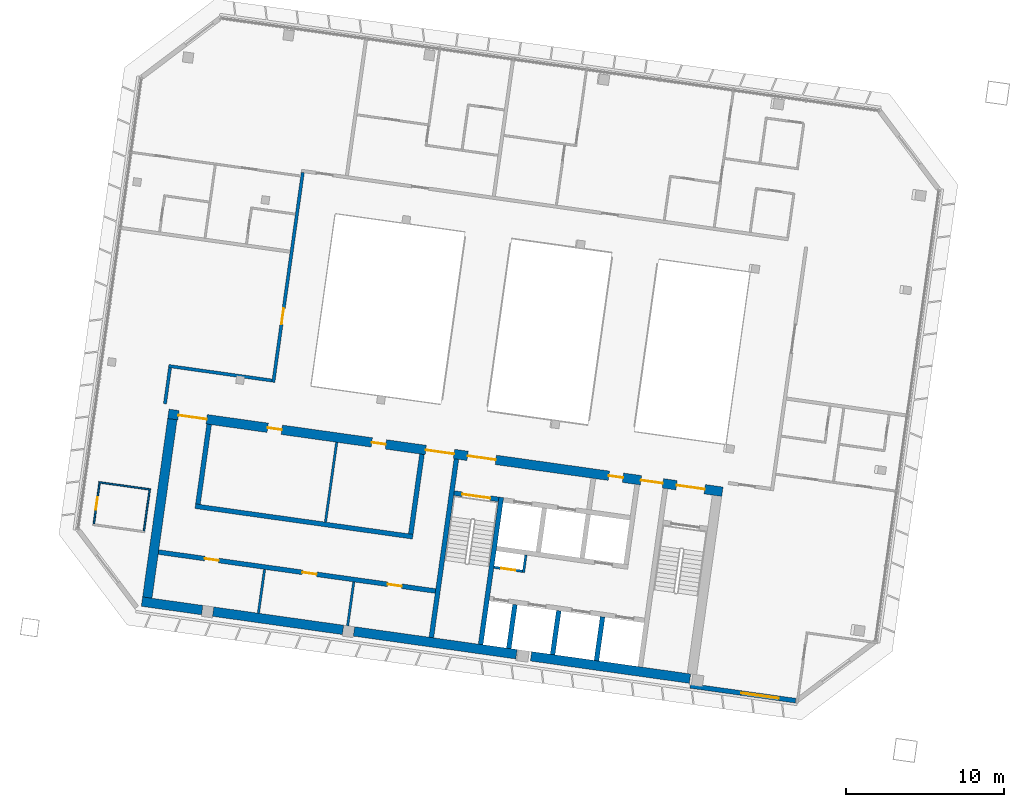
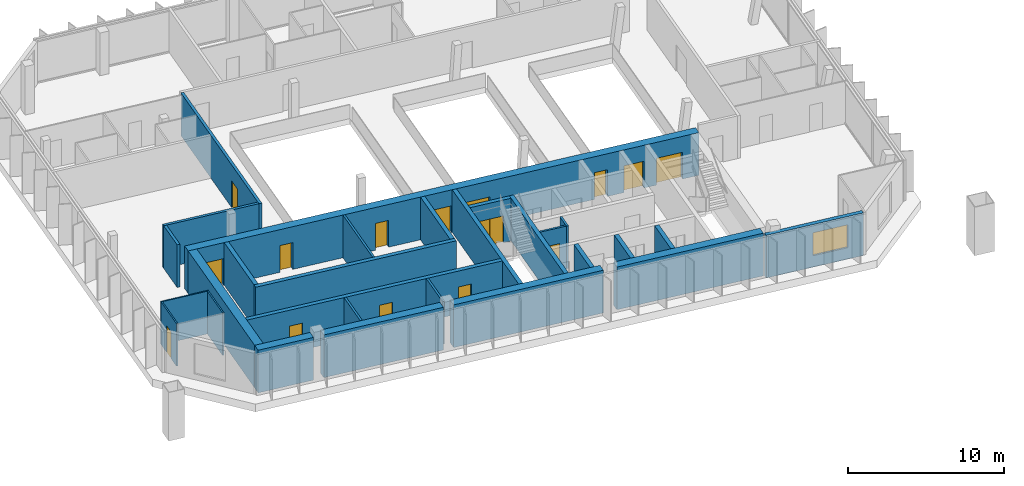
# One storey, part 12 of 20: 28 walls, 15 doors, 1 window, 16 openings.
"""IFC4 building model written with IfcOpenShell, lengths in metres."""

from ifc_helpers import new_model, si_unit, direction, frame, frame_2d, origin, place, context, subcontext, project, spatial, rectangle, extrude, material, layer, layer_set, type_object, element, fill, save


model = new_model("IFC4")

# Units and contexts
model_context = context("Model", 3, precision=1e-05, world=origin(), true_north=direction((0.0, 1.0)))
body_context = subcontext(model_context, "Body", "Model", "MODEL_VIEW")
ifc_project = project(units=[si_unit("LENGTHUNIT", "METRE"), si_unit("AREAUNIT", "SQUARE_METRE"), si_unit("VOLUMEUNIT", "CUBIC_METRE"), si_unit("PLANEANGLEUNIT", "RADIAN"), si_unit("MASSUNIT", "GRAM", prefix="KILO")], contexts=[model_context])

# Site, building, storey
site_placement = place(None, origin())
site = spatial("IfcSite", under=ifc_project, at=site_placement, CompositionType="ELEMENT")
building_placement = place(site_placement, origin())
building = spatial("IfcBuilding", under=site, at=building_placement, Name="Mirante Cascada Hotel Towers", CompositionType="ELEMENT")
storey_placement = place(building_placement, frame((0.0, 0.0, 224.2)))
storey = spatial("IfcBuildingStorey", under=building, at=storey_placement, Name="L53", CompositionType="ELEMENT", Elevation=224.2)

# Wall
ifc_material_1 = material(Name="Fire-rated plasterboard on metal studs")
ifc_layer_1 = layer(ifc_material_1, 0.2)
ifc_layer_set_1 = layer_set([ifc_layer_1], Name="Compartment wall 200 EI 120")
wall_type_1 = type_object("IfcWallType", Name="Compartment wall 200 EI 120", PredefinedType="PARTITIONING", material=ifc_layer_set_1)
wall_1_placement = place(storey_placement, frame((-64.1423, -0.635, 0.0), z_axis=(0.0, 0.0, 1.0), x_axis=(-0.990269, 0.1391661, 0.0)))
element("IfcWall", 1, at=wall_1_placement, inside=storey, type_object=wall_type_1, Name="Wall 1-L53-06", PredefinedType="PARTITIONING", context=body_context, shape_type="SweptSolid", body=[
    extrude(rectangle(XDim=6.6, YDim=0.2, at=frame_2d((3.3, 0.0))), origin(), (0.0, 0.0, 1.0), 3.35),
])

# Wall, opening, door
wall_2_placement = place(storey_placement, frame((-64.0572, -0.748, 0.0), z_axis=(0.0, 0.0, 1.0), x_axis=(0.1391716, 0.9902683, 0.0)))
wall_2 = element("IfcWall", 2, at=wall_2_placement, inside=storey, type_object=wall_type_1, Name="Wall 1-L53-40", PredefinedType="PARTITIONING", context=body_context, shape_type="SweptSolid", body=[
    extrude(rectangle(XDim=13.4, YDim=0.2, at=frame_2d((6.7, 0.0))), origin(), (0.0, 0.0, 1.0), 3.35),
])
opening_1_placement = place(wall_2_placement, frame((3.7167, 0.0, 0.0)))
opening_1 = element("IfcOpeningElement", 3, at=opening_1_placement, cuts=wall_2, Name="Opening D1-L53-23", PredefinedType="OPENING", context=body_context, shape_type="SweptSolid", body=[
    extrude(rectangle(XDim=1.0, YDim=2.1, at=frame_2d((0.5, 1.05))), frame((0.0, 0.1, 0.0), z_axis=(0.0, -1.0, 0.0), x_axis=(1.0, 0.0, 0.0)), (0.0, 0.0, 1.0), 0.2),
])
ifc_material_2 = material(Name="Fire-rated timber door leaf", Category="wood")
door_type_1 = type_object("IfcDoorType", Name="Entrance door DG1 1000x2100 EI 60", OperationType="SINGLE_SWING_LEFT", PredefinedType="DOOR", material=ifc_material_2)
door_1_placement = place(opening_1_placement, origin())
door_1 = element("IfcDoor", 4, at=door_1_placement, inside=storey, type_object=door_type_1, Name="Door D1-L53-23", OperationType="SINGLE_SWING_LEFT", OverallHeight=2.1, OverallWidth=1.0, PredefinedType="DOOR", context=body_context, shape_type="SweptSolid", body=[
    extrude(rectangle(XDim=1.0, YDim=2.1, at=frame_2d((0.5, 1.05))), frame((0.0, 0.025, 0.0), z_axis=(0.0, -1.0, 0.0), x_axis=(1.0, 0.0, 0.0)), (0.0, 0.0, 1.0), 0.05),
])
fill(opening_1, door_1)

# Walls
wall_3_placement = place(storey_placement, frame((-70.593, 0.1706, 0.0), z_axis=(0.0, 0.0, 1.0), x_axis=(-0.1391749, -0.9902678, 0.0)))
element("IfcWall", 5, at=wall_3_placement, inside=storey, type_object=wall_type_1, Name="Wall 1-L53-43", PredefinedType="PARTITIONING", context=body_context, shape_type="SweptSolid", body=[
    extrude(rectangle(XDim=2.3, YDim=0.2, at=frame_2d((1.15, 0.0))), origin(), (0.0, 0.0, 1.0), 3.35),
])
ifc_material_3 = material(Name="Masonry block", Category="masonry")
ifc_layer_2 = layer(ifc_material_3, 0.15)
ifc_layer_set_2 = layer_set([ifc_layer_2], Name="Core room partition 150 block EI 30")
wall_type_2 = type_object("IfcWallType", Name="Core room partition 150 block EI 30", PredefinedType="PARTITIONING", material=ifc_layer_set_2)
wall_4_placement = place(storey_placement, frame((-48.2295, -12.793, 0.0), z_axis=(0.0, 0.0, 1.0), x_axis=(0.1391935, 0.9902652, 0.0)))
element("IfcWall", 6, at=wall_4_placement, inside=storey, type_object=wall_type_2, Name="Core wall partition T1 L53 2", PredefinedType="PARTITIONING", context=body_context, shape_type="SweptSolid", body=[
    extrude(rectangle(XDim=1.1251, YDim=0.15, at=frame_2d((0.5626, 0.0))), origin(), (0.0, 0.0, 1.0), 3.35),
])

# Wall, opening, door
wall_5_placement = place(storey_placement, frame((-48.2933, -12.7083, 0.0), z_axis=(0.0, 0.0, 1.0), x_axis=(-0.990268, 0.1391734, 0.0)))
wall_5 = element("IfcWall", 7, at=wall_5_placement, inside=storey, type_object=wall_type_2, Name="Core wall partition T1 L53 3", PredefinedType="PARTITIONING", context=body_context, shape_type="SweptSolid", body=[
    extrude(rectangle(XDim=1.8251, YDim=0.15, at=frame_2d((0.9126, 0.0))), origin(), (0.0, 0.0, 1.0), 3.35),
])
opening_2_placement = place(wall_5_placement, frame((0.4625, 0.0, 0.0)))
opening_2 = element("IfcOpeningElement", 8, at=opening_2_placement, cuts=wall_5, Name="Opening D1-53-C15", PredefinedType="OPENING", context=body_context, shape_type="SweptSolid", body=[
    extrude(rectangle(XDim=0.9, YDim=2.1, at=frame_2d((0.45, 1.05))), frame((0.0, 0.075, 0.0), z_axis=(0.0, -1.0, 0.0), x_axis=(1.0, 0.0, 0.0)), (0.0, 0.0, 1.0), 0.15),
])
ifc_material_4 = material(Name="Hollow metal fire door leaf")
door_type_2 = type_object("IfcDoorType", Name="Fire door 900x2100 FD60", OperationType="NOTDEFINED", PredefinedType="DOOR", material=ifc_material_4)
door_2_placement = place(opening_2_placement, origin())
door_2 = element("IfcDoor", 9, at=door_2_placement, inside=storey, type_object=door_type_2, Name="Riser door T1 L53 15", OperationType="SINGLE_SWING_LEFT", OverallHeight=2.1, OverallWidth=0.9, PredefinedType="DOOR", context=body_context, shape_type="SweptSolid", body=[
    extrude(rectangle(XDim=0.9, YDim=2.1, at=frame_2d((0.45, 1.05))), frame((0.0, 0.025, 0.0), z_axis=(0.0, -1.0, 0.0), x_axis=(1.0, 0.0, 0.0)), (0.0, 0.0, 1.0), 0.05),
])
fill(opening_2, door_2)

# Walls
for number, where, z_axis, x_axis, name in (
    (10, (-59.3553, -16.1523, 0.0), (0.0, 0.0, 1.0), (0.139176, 0.9902677, 0.0), "Core wall partition T1 L53 5"),
    (11, (-64.9998, -15.359, 0.0), (0.0, 0.0, 1.0), (0.139176, 0.9902677, 0.0), "Core wall partition T1 L53 6"),
):
    element("IfcWall", number, at=place(storey_placement, frame(where, z_axis=z_axis, x_axis=x_axis)), inside=storey, type_object=wall_type_2, Name=name, PredefinedType="PARTITIONING", context=body_context, shape_type="SweptSolid", body=[
        extrude(rectangle(XDim=2.8001, YDim=0.15, at=frame_2d((1.4, 0.0))), origin(), (0.0, 0.0, 1.0), 3.35),
    ])
wall_6_placement = place(storey_placement, frame((-60.7561, -9.5935, 0.0), z_axis=(0.0, 0.0, 1.0), x_axis=(0.1391755, 0.9902677, 0.0)))
element("IfcWall", 12, at=wall_6_placement, inside=storey, type_object=wall_type_2, Name="Core wall partition T1 L53 7", PredefinedType="PARTITIONING", context=body_context, shape_type="SweptSolid", body=[
    extrude(rectangle(XDim=5.1, YDim=0.15, at=frame_2d((2.55, 0.0))), origin(), (0.0, 0.0, 1.0), 3.35),
])

# Wall, openings, doors
ifc_material_5 = material(Name="Masonry block", Category="masonry")
ifc_layer_3 = layer(ifc_material_5, 0.3)
ifc_layer_set_3 = layer_set([ifc_layer_3], Name="Core wall 300 block EI 120")
wall_type_3 = type_object("IfcWallType", Name="Core wall 300 block EI 120", PredefinedType="PARTITIONING", material=ifc_layer_set_3)
wall_7_placement = place(storey_placement, frame((-53.7953, -13.9547, 0.0), z_axis=(0.0, 0.0, 1.0), x_axis=(-0.9902678, 0.1391747, 0.0)))
wall_7 = element("IfcWall", 13, at=wall_7_placement, inside=storey, type_object=wall_type_3, Name="Core wall partition T1 L53 4", PredefinedType="PARTITIONING", context=body_context, shape_type="SweptSolid", body=[
    extrude(rectangle(XDim=17.7001, YDim=0.3, at=frame_2d((8.85, 0.0))), origin(), (0.0, 0.0, 1.0), 3.35),
])
opening_3_placement = place(wall_7_placement, frame((2.15, 0.0, 0.0)))
opening_3 = element("IfcOpeningElement", 14, at=opening_3_placement, cuts=wall_7, Name="Opening D1-53-C17", PredefinedType="OPENING", context=body_context, shape_type="SweptSolid", body=[
    extrude(rectangle(XDim=0.9, YDim=2.1, at=frame_2d((0.45, 1.05))), frame((0.0, 0.15, 0.0), z_axis=(0.0, -1.0, 0.0), x_axis=(1.0, 0.0, 0.0)), (0.0, 0.0, 1.0), 0.3),
])
opening_4_placement = place(wall_7_placement, frame((7.6, 0.0, 0.0)))
opening_4 = element("IfcOpeningElement", 15, at=opening_4_placement, cuts=wall_7, Name="Opening D1-53-C18", PredefinedType="OPENING", context=body_context, shape_type="SweptSolid", body=[
    extrude(rectangle(XDim=0.9, YDim=2.1, at=frame_2d((0.45, 1.05))), frame((0.0, 0.15, 0.0), z_axis=(0.0, -1.0, 0.0), x_axis=(1.0, 0.0, 0.0)), (0.0, 0.0, 1.0), 0.3),
])
opening_5_placement = place(wall_7_placement, frame((13.85, 0.0, 0.0)))
opening_5 = element("IfcOpeningElement", 16, at=opening_5_placement, cuts=wall_7, Name="Opening D1-53-C19", PredefinedType="OPENING", context=body_context, shape_type="SweptSolid", body=[
    extrude(rectangle(XDim=0.9, YDim=2.1, at=frame_2d((0.45, 1.05))), frame((0.0, 0.15, 0.0), z_axis=(0.0, -1.0, 0.0), x_axis=(1.0, 0.0, 0.0)), (0.0, 0.0, 1.0), 0.3),
])
door_3_placement = place(opening_3_placement, origin())
door_3 = element("IfcDoor", 17, at=door_3_placement, inside=storey, type_object=door_type_2, Name="Room door T1 L53 17", OperationType="SINGLE_SWING_RIGHT", OverallHeight=2.1, OverallWidth=0.9, PredefinedType="DOOR", context=body_context, shape_type="SweptSolid", body=[
    extrude(rectangle(XDim=0.9, YDim=2.1, at=frame_2d((0.45, 1.05))), frame((0.0, 0.025, 0.0), z_axis=(0.0, -1.0, 0.0), x_axis=(1.0, 0.0, 0.0)), (0.0, 0.0, 1.0), 0.05),
])
fill(opening_3, door_3)
door_4_placement = place(opening_4_placement, origin())
door_4 = element("IfcDoor", 18, at=door_4_placement, inside=storey, type_object=door_type_2, Name="Room door T1 L53 18", OperationType="SINGLE_SWING_RIGHT", OverallHeight=2.1, OverallWidth=0.9, PredefinedType="DOOR", context=body_context, shape_type="SweptSolid", body=[
    extrude(rectangle(XDim=0.9, YDim=2.1, at=frame_2d((0.45, 1.05))), frame((0.0, 0.025, 0.0), z_axis=(0.0, -1.0, 0.0), x_axis=(1.0, 0.0, 0.0)), (0.0, 0.0, 1.0), 0.05),
])
fill(opening_4, door_4)
door_5_placement = place(opening_5_placement, origin())
door_5 = element("IfcDoor", 19, at=door_5_placement, inside=storey, type_object=door_type_2, Name="Room door T1 L53 19", OperationType="SINGLE_SWING_LEFT", OverallHeight=2.1, OverallWidth=0.9, PredefinedType="DOOR", context=body_context, shape_type="SweptSolid", body=[
    extrude(rectangle(XDim=0.9, YDim=2.1, at=frame_2d((0.45, 1.05))), frame((0.0, 0.025, 0.0), z_axis=(0.0, -1.0, 0.0), x_axis=(1.0, 0.0, 0.0)), (0.0, 0.0, 1.0), 0.05),
])
fill(opening_5, door_5)

# Walls
ifc_material_6 = material(Name="Plasterboard on metal studs")
ifc_layer_4 = layer(ifc_material_6, 0.1)
ifc_layer_set_4 = layer_set([ifc_layer_4], Name="Partition 100")
wall_type_4 = type_object("IfcWallType", Name="Partition 100", PredefinedType="PARTITIONING", material=ifc_layer_set_4)
wall_8_placement = place(storey_placement, frame((-75.0949, -7.0734, 0.0), z_axis=(0.0, 0.0, 1.0), x_axis=(0.9902705, -0.1391555, 0.0)))
element("IfcWall", 20, at=wall_8_placement, inside=storey, type_object=wall_type_4, Name="Wall 1-L53-03", PredefinedType="PARTITIONING", context=body_context, shape_type="SweptSolid", body=[
    extrude(rectangle(XDim=3.2999, YDim=0.1, at=frame_2d((1.65, 0.0))), origin(), (0.0, 0.0, 1.0), 3.35),
])
wall_9_placement = place(storey_placement, frame((-72.2454, -10.1499, 0.0), z_axis=(0.0, 0.0, 1.0), x_axis=(0.1391918, 0.9902654, 0.0)))
element("IfcWall", 21, at=wall_9_placement, inside=storey, type_object=wall_type_4, Name="Wall 1-L53-44", PredefinedType="PARTITIONING", context=body_context, shape_type="SweptSolid", body=[
    extrude(rectangle(XDim=2.6, YDim=0.1, at=frame_2d((1.3, 0.0))), origin(), (0.0, 0.0, 1.0), 3.35),
])

# Wall, opening, door
wall_10_placement = place(storey_placement, frame((-75.4142, -9.7045, 0.0), z_axis=(0.0, 0.0, 1.0), x_axis=(0.1391541, 0.9902707, 0.0)))
wall_10 = element("IfcWall", 22, at=wall_10_placement, inside=storey, type_object=wall_type_4, Name="Wall 1-L53-46", PredefinedType="PARTITIONING", context=body_context, shape_type="SweptSolid", body=[
    extrude(rectangle(XDim=2.6, YDim=0.1, at=frame_2d((1.3, 0.0))), origin(), (0.0, 0.0, 1.0), 3.35),
])
opening_6_placement = place(wall_10_placement, frame((0.9, 0.0, 0.0)))
opening_6 = element("IfcOpeningElement", 23, at=opening_6_placement, cuts=wall_10, Name="Opening D1-L53-26", PredefinedType="OPENING", context=body_context, shape_type="SweptSolid", body=[
    extrude(rectangle(XDim=0.8, YDim=2.1, at=frame_2d((0.4, 1.05))), frame((0.0, 0.05, 0.0), z_axis=(0.0, -1.0, 0.0), x_axis=(1.0, 0.0, 0.0)), (0.0, 0.0, 1.0), 0.1),
])
ifc_material_7 = material(Name="Timber door leaf", Category="wood")
door_type_3 = type_object("IfcDoorType", Name="Bathroom door DG4 800x2100", OperationType="SINGLE_SWING_LEFT", PredefinedType="DOOR", material=ifc_material_7)
door_6_placement = place(opening_6_placement, frame((0.8, 0.0, 0.0), z_axis=(0.0, 0.0, 1.0), x_axis=(-1.0, 0.0, 0.0)))
door_6 = element("IfcDoor", 24, at=door_6_placement, inside=storey, type_object=door_type_3, Name="Door D1-L53-26", OperationType="SINGLE_SWING_RIGHT", OverallHeight=2.1, OverallWidth=0.8, PredefinedType="DOOR", context=body_context, shape_type="SweptSolid", body=[
    extrude(rectangle(XDim=0.8, YDim=2.1, at=frame_2d((0.4, 1.05))), frame((0.0, 0.025, 0.0), z_axis=(0.0, -1.0, 0.0), x_axis=(1.0, 0.0, 0.0)), (0.0, 0.0, 1.0), 0.05),
])
fill(opening_6, door_6)

# Wall, opening, window
ifc_material_8 = material(Name="Precast concrete C40/50", Category="concrete")
ifc_layer_5 = layer(ifc_material_8, 0.3)
ifc_layer_set_5 = layer_set([ifc_layer_5], Name="Precast concrete C40/50 cladding wall 300")
wall_type_5 = type_object("IfcWallType", Name="Precast concrete C40/50 cladding wall 300", PredefinedType="STANDARD", material=ifc_layer_set_5)
wall_11_placement = place(storey_placement, frame((-31.0094, -20.8934, 0.0), z_axis=(0.0, 0.0, 1.0), x_axis=(-0.9902685, 0.1391701, 0.0)))
wall_11 = element("IfcWall", 25, at=wall_11_placement, inside=storey, type_object=wall_type_5, Name="Rear cladding wall T1 L53 1", PredefinedType="STANDARD", context=body_context, shape_type="SweptSolid", body=[
    extrude(rectangle(XDim=6.7299, YDim=0.3, at=frame_2d((3.365, 0.0))), origin(), (0.0, 0.0, 1.0), 3.35),
])
opening_7_placement = place(wall_11_placement, frame((1.0785, 0.0, 0.9)))
opening_7 = element("IfcOpeningElement", 26, at=opening_7_placement, cuts=wall_11, Name="Opening W1-53-01", PredefinedType="OPENING", context=body_context, shape_type="SweptSolid", body=[
    extrude(rectangle(XDim=2.4, YDim=1.8, at=frame_2d((1.2, 0.9))), frame((0.0, 0.15, 0.0), z_axis=(0.0, -1.0, 0.0), x_axis=(1.0, 0.0, 0.0)), (0.0, 0.0, 1.0), 0.3),
])
ifc_material_9 = material(Name="Aluminium frame with clear double glazing", Category="aluminium")
window_type = type_object("IfcWindowType", Name="Punched window 2400x1800", PartitioningType="DOUBLE_PANEL_VERTICAL", PredefinedType="WINDOW", material=ifc_material_9)
window_placement = place(opening_7_placement, origin())
window = element("IfcWindow", 27, at=window_placement, inside=storey, type_object=window_type, Name="Window W1-53-01", OverallHeight=1.8, OverallWidth=2.4, PartitioningType="SINGLE_PANEL", PredefinedType="WINDOW", context=body_context, shape_type="SweptSolid", body=[
    extrude(rectangle(XDim=2.4, YDim=1.8, at=frame_2d((1.2, 0.9))), frame((0.0, 0.03, 0.0), z_axis=(0.0, -1.0, 0.0), x_axis=(1.0, 0.0, 0.0)), (0.0, 0.0, 1.0), 0.06),
])
fill(opening_7, window)

# Walls
ifc_material_10 = material(Name="Concrete C50/60", Category="concrete")
ifc_layer_6 = layer(ifc_material_10, 0.3)
ifc_layer_set_6 = layer_set([ifc_layer_6], Name="RC core wall 300 C50/60")
wall_type_6 = type_object("IfcWallType", Name="RC core wall 300 C50/60", PredefinedType="SHEAR", material=ifc_layer_set_6)
wall_12_placement = place(storey_placement, frame((-50.938, -17.3352, 0.0), z_axis=(0.0, 0.0, 1.0), x_axis=(0.1391706, 0.9902684, 0.0)))
element("IfcWall", 28, at=wall_12_placement, inside=storey, type_object=wall_type_6, Name="Core wall T1:L53:6", PredefinedType="SHEAR", context=body_context, shape_type="SweptSolid", body=[
    extrude(rectangle(XDim=9.4, YDim=0.3, at=frame_2d((4.7, 0.0))), origin(), (0.0, 0.0, 1.0), 3.35),
])
wall_13_placement = place(storey_placement, frame((-54.0574, -16.8968, 0.0), z_axis=(0.0, 0.0, 1.0), x_axis=(0.1391761, 0.9902677, 0.0)))
element("IfcWall", 29, at=wall_13_placement, inside=storey, type_object=wall_type_6, Name="Core wall T1:L53:7", PredefinedType="SHEAR", context=body_context, shape_type="SweptSolid", body=[
    extrude(rectangle(XDim=11.3999, YDim=0.3, at=frame_2d((5.7, 0.0))), origin(), (0.0, 0.0, 1.0), 3.35),
])

# Wall, opening, door
wall_14_placement = place(storey_placement, frame((-49.7992, -8.1544, 0.0), z_axis=(0.0, 0.0, 1.0), x_axis=(-0.9902656, 0.1391909, 0.0)))
wall_14 = element("IfcWall", 30, at=wall_14_placement, inside=storey, type_object=wall_type_6, Name="Core wall T1:L53:9", PredefinedType="SHEAR", context=body_context, shape_type="SweptSolid", body=[
    extrude(rectangle(XDim=2.85, YDim=0.3, at=frame_2d((1.425, 0.0))), origin(), (0.0, 0.0, 1.0), 3.35),
])
opening_8_placement = place(wall_14_placement, frame((0.525, 0.0, 0.0)))
opening_8 = element("IfcOpeningElement", 31, at=opening_8_placement, cuts=wall_14, Name="Opening D1-53-C09", PredefinedType="OPENING", context=body_context, shape_type="SweptSolid", body=[
    extrude(rectangle(XDim=1.8, YDim=2.1, at=frame_2d((0.9, 1.05))), frame((0.0, 0.15, 0.0), z_axis=(0.0, -1.0, 0.0), x_axis=(1.0, 0.0, 0.0)), (0.0, 0.0, 1.0), 0.3),
])
ifc_material_11 = material(Name="Hollow metal fire door leaf")
door_type_4 = type_object("IfcDoorType", Name="Double fire door 1800x2100 FD60", OperationType="DOUBLE_DOOR_SINGLE_SWING", PredefinedType="DOOR", material=ifc_material_11)
door_7_placement = place(opening_8_placement, origin())
door_7 = element("IfcDoor", 32, at=door_7_placement, inside=storey, type_object=door_type_4, Name="Stair door T1 L53 9", OperationType="DOUBLE_DOOR_SINGLE_SWING", OverallHeight=2.1, OverallWidth=1.8, PredefinedType="DOOR", context=body_context, shape_type="SweptSolid", body=[
    extrude(rectangle(XDim=0.895, YDim=2.1, at=frame_2d((0.4475, 1.05))), frame((0.0, 0.025, 0.0), z_axis=(0.0, -1.0, 0.0), x_axis=(1.0, 0.0, 0.0)), (0.0, 0.0, 1.0), 0.05),
    extrude(rectangle(XDim=0.895, YDim=2.1, at=frame_2d((1.3525, 1.05))), frame((0.0, 0.025, 0.0), z_axis=(0.0, -1.0, 0.0), x_axis=(1.0, 0.0, 0.0)), (0.0, 0.0, 1.0), 0.05),
])
fill(opening_8, door_7)

# Walls
wall_15_placement = place(storey_placement, frame((-43.61, -18.3651, 0.0), z_axis=(0.0, 0.0, 1.0), x_axis=(0.1391459, 0.9902719, 0.0)))
element("IfcWall", 33, at=wall_15_placement, inside=storey, type_object=wall_type_6, Name="Core wall T1:L53:13", PredefinedType="SHEAR", context=body_context, shape_type="SweptSolid", body=[
    extrude(rectangle(XDim=2.7999, YDim=0.3, at=frame_2d((1.4, 0.0))), origin(), (0.0, 0.0, 1.0), 3.35),
])
wall_16_placement = place(storey_placement, frame((-46.3828, -17.9754, 0.0), z_axis=(0.0, 0.0, 1.0), x_axis=(0.139181, 0.990267, 0.0)))
element("IfcWall", 34, at=wall_16_placement, inside=storey, type_object=wall_type_6, Name="Core wall T1:L53:14", PredefinedType="SHEAR", context=body_context, shape_type="SweptSolid", body=[
    extrude(rectangle(XDim=2.8, YDim=0.3, at=frame_2d((1.4, 0.0))), origin(), (0.0, 0.0, 1.0), 3.35),
])
wall_17_placement = place(storey_placement, frame((-49.1555, -17.5857, 0.0), z_axis=(0.0, 0.0, 1.0), x_axis=(0.1391459, 0.9902719, 0.0)))
element("IfcWall", 35, at=wall_17_placement, inside=storey, type_object=wall_type_6, Name="Core wall T1:L53:15", PredefinedType="SHEAR", context=body_context, shape_type="SweptSolid", body=[
    extrude(rectangle(XDim=2.7999, YDim=0.3, at=frame_2d((1.4, 0.0))), origin(), (0.0, 0.0, 1.0), 3.35),
])
wall_18_placement = place(storey_placement, frame((-55.2315, -10.5214, 0.0), z_axis=(0.0, 0.0, 1.0), x_axis=(-0.9902681, 0.1391729, 0.0)))
element("IfcWall", 36, at=wall_18_placement, inside=storey, type_object=wall_type_6, Name="Core wall T1:L53:25", PredefinedType="SHEAR", context=body_context, shape_type="SweptSolid", body=[
    extrude(rectangle(XDim=13.9, YDim=0.3, at=frame_2d((6.95, 0.0))), origin(), (0.0, 0.0, 1.0), 3.35),
])
for number, where, z_axis, x_axis, name in (
    (37, (-55.3592, -10.352, 0.0), (0.0, 0.0, 1.0), (0.1391755, 0.9902677, 0.0), "Core wall T1:L53:26"),
    (38, (-68.8268, -8.4592, 0.0), (0.0, 0.0, 1.0), (0.1391755, 0.9902677, 0.0), "Core wall T1:L53:27"),
):
    element("IfcWall", number, at=place(storey_placement, frame(where, z_axis=z_axis, x_axis=x_axis)), inside=storey, type_object=wall_type_6, Name=name, PredefinedType="SHEAR", context=body_context, shape_type="SweptSolid", body=[
        extrude(rectangle(XDim=5.1, YDim=0.3, at=frame_2d((2.55, 0.0))), origin(), (0.0, 0.0, 1.0), 3.35),
    ])
ifc_material_12 = material(Name="Concrete C50/60", Category="concrete")
ifc_layer_7 = layer(ifc_material_12, 0.6)
ifc_layer_set_7 = layer_set([ifc_layer_7], Name="RC core wall 600 C50/60")
wall_type_7 = type_object("IfcWallType", Name="RC core wall 600 C50/60", PredefinedType="SHEAR", material=ifc_layer_set_7)
wall_19_placement = place(storey_placement, frame((-37.691, -19.4999, 0.0), z_axis=(0.0, 0.0, 1.0), x_axis=(-0.9902685, 0.13917, 0.0)))
element("IfcWall", 39, at=wall_19_placement, inside=storey, type_object=wall_type_7, Name="Core wall T1:L53:1.1", PredefinedType="SHEAR", context=body_context, shape_type="SweptSolid", body=[
    extrude(rectangle(XDim=10.1566, YDim=0.6, at=frame_2d((5.0783, 0.0))), origin(), (0.0, 0.0, 1.0), 3.35),
])
wall_20_placement = place(storey_placement, frame((-48.6678, -17.9572, 0.0), z_axis=(0.0, 0.0, 1.0), x_axis=(-0.9902689, 0.1391669, 0.0)))
element("IfcWall", 40, at=wall_20_placement, inside=storey, type_object=wall_type_7, Name="Core wall T1:L53:1.2", PredefinedType="SHEAR", context=body_context, shape_type="SweptSolid", body=[
    extrude(rectangle(XDim=10.3847, YDim=0.6, at=frame_2d((5.1924, 0.0))), origin(), (0.0, 0.0, 1.0), 3.35),
])
wall_21_placement = place(storey_placement, frame((-59.6446, -16.4145, 0.0), z_axis=(0.0, 0.0, 1.0), x_axis=(-0.9902686, 0.1391692, 0.0)))
element("IfcWall", 41, at=wall_21_placement, inside=storey, type_object=wall_type_7, Name="Core wall T1:L53:1.3", PredefinedType="SHEAR", context=body_context, shape_type="SweptSolid", body=[
    extrude(rectangle(XDim=8.3, YDim=0.6, at=frame_2d((4.15, 0.0))), origin(), (0.0, 0.0, 1.0), 3.35),
])
wall_22_placement = place(storey_placement, frame((-68.557, -15.162, 0.0), z_axis=(0.0, 0.0, 1.0), x_axis=(-0.990269, 0.1391665, 0.0)))
element("IfcWall", 42, at=wall_22_placement, inside=storey, type_object=wall_type_7, Name="Core wall T1:L53:1.4", PredefinedType="SHEAR", context=body_context, shape_type="SweptSolid", body=[
    extrude(rectangle(XDim=3.8501, YDim=0.6, at=frame_2d((1.925, 0.0))), origin(), (0.0, 0.0, 1.0), 3.35),
])

# Wall, openings, doors
wall_23_placement = place(storey_placement, frame((-35.644, -7.6697, 0.0), z_axis=(0.0, 0.0, 1.0), x_axis=(-0.9902682, 0.1391723, 0.0)))
wall_23 = element("IfcWall", 43, at=wall_23_placement, inside=storey, type_object=wall_type_7, Name="Core wall T1:L53:2", PredefinedType="SHEAR", context=body_context, shape_type="SweptSolid", body=[
    extrude(rectangle(XDim=35.4, YDim=0.6, at=frame_2d((17.7, 0.0))), origin(), (0.0, 0.0, 1.0), 3.35),
])
opening_9_placement = place(wall_23_placement, frame((1.125, 0.0, 0.0)))
opening_9 = element("IfcOpeningElement", 44, at=opening_9_placement, cuts=wall_23, Name="Opening D1-53-C08", PredefinedType="OPENING", context=body_context, shape_type="SweptSolid", body=[
    extrude(rectangle(XDim=1.8, YDim=2.1, at=frame_2d((0.9, 1.05))), frame((0.0, 0.3, 0.0), z_axis=(0.0, -1.0, 0.0), x_axis=(1.0, 0.0, 0.0)), (0.0, 0.0, 1.0), 0.6),
])
opening_10_placement = place(wall_23_placement, frame((14.475, 0.0, 0.0)))
opening_10 = element("IfcOpeningElement", 45, at=opening_10_placement, cuts=wall_23, Name="Opening D1-53-C10", PredefinedType="OPENING", context=body_context, shape_type="SweptSolid", body=[
    extrude(rectangle(XDim=1.8, YDim=2.1, at=frame_2d((0.9, 1.05))), frame((0.0, 0.3, 0.0), z_axis=(0.0, -1.0, 0.0), x_axis=(1.0, 0.0, 0.0)), (0.0, 0.0, 1.0), 0.6),
])
opening_11_placement = place(wall_23_placement, frame((3.8, 0.0, 0.0)))
opening_11 = element("IfcOpeningElement", 46, at=opening_11_placement, cuts=wall_23, Name="Opening D1-53-C11", PredefinedType="OPENING", context=body_context, shape_type="SweptSolid", body=[
    extrude(rectangle(XDim=1.4, YDim=2.1, at=frame_2d((0.7, 1.05))), frame((0.0, 0.3, 0.0), z_axis=(0.0, -1.0, 0.0), x_axis=(1.0, 0.0, 0.0)), (0.0, 0.0, 1.0), 0.6),
])
opening_12_placement = place(wall_23_placement, frame((17.15, 0.0, 0.0)))
opening_12 = element("IfcOpeningElement", 47, at=opening_12_placement, cuts=wall_23, Name="Opening D1-53-C12", PredefinedType="OPENING", context=body_context, shape_type="SweptSolid", body=[
    extrude(rectangle(XDim=1.8, YDim=2.1, at=frame_2d((0.9, 1.05))), frame((0.0, 0.3, 0.0), z_axis=(0.0, -1.0, 0.0), x_axis=(1.0, 0.0, 0.0)), (0.0, 0.0, 1.0), 0.6),
])
opening_13_placement = place(wall_23_placement, frame((32.95, 0.0, 0.0)))
opening_13 = element("IfcOpeningElement", 48, at=opening_13_placement, cuts=wall_23, Name="Opening D1-53-C13", PredefinedType="OPENING", context=body_context, shape_type="SweptSolid", body=[
    extrude(rectangle(XDim=1.8, YDim=2.1, at=frame_2d((0.9, 1.05))), frame((0.0, 0.3, 0.0), z_axis=(0.0, -1.0, 0.0), x_axis=(1.0, 0.0, 0.0)), (0.0, 0.0, 1.0), 0.6),
])
opening_14_placement = place(wall_23_placement, frame((6.35, 0.0, 0.0)))
opening_14 = element("IfcOpeningElement", 49, at=opening_14_placement, cuts=wall_23, Name="Opening D1-53-C16", PredefinedType="OPENING", context=body_context, shape_type="SweptSolid", body=[
    extrude(rectangle(XDim=0.9, YDim=2.1, at=frame_2d((0.45, 1.05))), frame((0.0, 0.3, 0.0), z_axis=(0.0, -1.0, 0.0), x_axis=(1.0, 0.0, 0.0)), (0.0, 0.0, 1.0), 0.6),
])
opening_15_placement = place(wall_23_placement, frame((21.5, 0.0, 0.0)))
opening_15 = element("IfcOpeningElement", 50, at=opening_15_placement, cuts=wall_23, Name="Opening D1-53-C20", PredefinedType="OPENING", context=body_context, shape_type="SweptSolid", body=[
    extrude(rectangle(XDim=0.9, YDim=2.1, at=frame_2d((0.45, 1.05))), frame((0.0, 0.3, 0.0), z_axis=(0.0, -1.0, 0.0), x_axis=(1.0, 0.0, 0.0)), (0.0, 0.0, 1.0), 0.6),
])
opening_16_placement = place(wall_23_placement, frame((28.15, 0.0, 0.0)))
opening_16 = element("IfcOpeningElement", 51, at=opening_16_placement, cuts=wall_23, Name="Opening D1-53-C21", PredefinedType="OPENING", context=body_context, shape_type="SweptSolid", body=[
    extrude(rectangle(XDim=0.9, YDim=2.1, at=frame_2d((0.45, 1.05))), frame((0.0, 0.3, 0.0), z_axis=(0.0, -1.0, 0.0), x_axis=(1.0, 0.0, 0.0)), (0.0, 0.0, 1.0), 0.6),
])
ifc_material_13 = material(Name="Hollow metal fire door leaf")
door_type_5 = type_object("IfcDoorType", Name="Double fire door 1400x2100 FD60", OperationType="DOUBLE_DOOR_SINGLE_SWING", PredefinedType="DOOR", material=ifc_material_13)
door_8_placement = place(opening_11_placement, frame((1.4, 0.0, 0.0), z_axis=(0.0, 0.0, 1.0), x_axis=(-1.0, 0.0, 0.0)))
door_8 = element("IfcDoor", 52, at=door_8_placement, inside=storey, type_object=door_type_5, Name="Exit door to gallery T1 L53 11", OperationType="DOUBLE_DOOR_SINGLE_SWING", OverallHeight=2.1, OverallWidth=1.4, PredefinedType="DOOR", context=body_context, shape_type="SweptSolid", body=[
    extrude(rectangle(XDim=0.695, YDim=2.1, at=frame_2d((0.3475, 1.05))), frame((0.0, 0.025, 0.0), z_axis=(0.0, -1.0, 0.0), x_axis=(1.0, 0.0, 0.0)), (0.0, 0.0, 1.0), 0.05),
    extrude(rectangle(XDim=0.695, YDim=2.1, at=frame_2d((1.0525, 1.05))), frame((0.0, 0.025, 0.0), z_axis=(0.0, -1.0, 0.0), x_axis=(1.0, 0.0, 0.0)), (0.0, 0.0, 1.0), 0.05),
])
fill(opening_11, door_8)
door_9_placement = place(opening_9_placement, origin())
door_9 = element("IfcDoor", 53, at=door_9_placement, inside=storey, type_object=door_type_4, Name="Exit door to gallery T1 L53 8", OperationType="DOUBLE_DOOR_SINGLE_SWING", OverallHeight=2.1, OverallWidth=1.8, PredefinedType="DOOR", context=body_context, shape_type="SweptSolid", body=[
    extrude(rectangle(XDim=0.895, YDim=2.1, at=frame_2d((0.4475, 1.05))), frame((0.0, 0.025, 0.0), z_axis=(0.0, -1.0, 0.0), x_axis=(1.0, 0.0, 0.0)), (0.0, 0.0, 1.0), 0.05),
    extrude(rectangle(XDim=0.895, YDim=2.1, at=frame_2d((1.3525, 1.05))), frame((0.0, 0.025, 0.0), z_axis=(0.0, -1.0, 0.0), x_axis=(1.0, 0.0, 0.0)), (0.0, 0.0, 1.0), 0.05),
])
fill(opening_9, door_9)
door_10_placement = place(opening_10_placement, origin())
door_10 = element("IfcDoor", 54, at=door_10_placement, inside=storey, type_object=door_type_4, Name="Exit door to gallery T1 L53 10", OperationType="DOUBLE_DOOR_SINGLE_SWING", OverallHeight=2.1, OverallWidth=1.8, PredefinedType="DOOR", context=body_context, shape_type="SweptSolid", body=[
    extrude(rectangle(XDim=0.895, YDim=2.1, at=frame_2d((0.4475, 1.05))), frame((0.0, 0.025, 0.0), z_axis=(0.0, -1.0, 0.0), x_axis=(1.0, 0.0, 0.0)), (0.0, 0.0, 1.0), 0.05),
    extrude(rectangle(XDim=0.895, YDim=2.1, at=frame_2d((1.3525, 1.05))), frame((0.0, 0.025, 0.0), z_axis=(0.0, -1.0, 0.0), x_axis=(1.0, 0.0, 0.0)), (0.0, 0.0, 1.0), 0.05),
])
fill(opening_10, door_10)
door_11_placement = place(opening_12_placement, frame((1.8, 0.0, 0.0), z_axis=(0.0, 0.0, 1.0), x_axis=(-1.0, 0.0, 0.0)))
door_11 = element("IfcDoor", 55, at=door_11_placement, inside=storey, type_object=door_type_4, Name="Exit door to gallery T1 L53 12", OperationType="DOUBLE_DOOR_SINGLE_SWING", OverallHeight=2.1, OverallWidth=1.8, PredefinedType="DOOR", context=body_context, shape_type="SweptSolid", body=[
    extrude(rectangle(XDim=0.895, YDim=2.1, at=frame_2d((0.4475, 1.05))), frame((0.0, 0.025, 0.0), z_axis=(0.0, -1.0, 0.0), x_axis=(1.0, 0.0, 0.0)), (0.0, 0.0, 1.0), 0.05),
    extrude(rectangle(XDim=0.895, YDim=2.1, at=frame_2d((1.3525, 1.05))), frame((0.0, 0.025, 0.0), z_axis=(0.0, -1.0, 0.0), x_axis=(1.0, 0.0, 0.0)), (0.0, 0.0, 1.0), 0.05),
])
fill(opening_12, door_11)
door_12_placement = place(opening_13_placement, frame((1.8, 0.0, 0.0), z_axis=(0.0, 0.0, 1.0), x_axis=(-1.0, 0.0, 0.0)))
door_12 = element("IfcDoor", 56, at=door_12_placement, inside=storey, type_object=door_type_4, Name="Exit door to gallery T1 L53 13", OperationType="DOUBLE_DOOR_SINGLE_SWING", OverallHeight=2.1, OverallWidth=1.8, PredefinedType="DOOR", context=body_context, shape_type="SweptSolid", body=[
    extrude(rectangle(XDim=0.895, YDim=2.1, at=frame_2d((0.4475, 1.05))), frame((0.0, 0.025, 0.0), z_axis=(0.0, -1.0, 0.0), x_axis=(1.0, 0.0, 0.0)), (0.0, 0.0, 1.0), 0.05),
    extrude(rectangle(XDim=0.895, YDim=2.1, at=frame_2d((1.3525, 1.05))), frame((0.0, 0.025, 0.0), z_axis=(0.0, -1.0, 0.0), x_axis=(1.0, 0.0, 0.0)), (0.0, 0.0, 1.0), 0.05),
])
fill(opening_13, door_12)
door_13_placement = place(opening_14_placement, origin())
door_13 = element("IfcDoor", 57, at=door_13_placement, inside=storey, type_object=door_type_2, Name="Room door T1 L53 16", OperationType="SINGLE_SWING_RIGHT", OverallHeight=2.1, OverallWidth=0.9, PredefinedType="DOOR", context=body_context, shape_type="SweptSolid", body=[
    extrude(rectangle(XDim=0.9, YDim=2.1, at=frame_2d((0.45, 1.05))), frame((0.0, 0.025, 0.0), z_axis=(0.0, -1.0, 0.0), x_axis=(1.0, 0.0, 0.0)), (0.0, 0.0, 1.0), 0.05),
])
fill(opening_14, door_13)
door_14_placement = place(opening_15_placement, origin())
door_14 = element("IfcDoor", 58, at=door_14_placement, inside=storey, type_object=door_type_2, Name="Room door T1 L53 20", OperationType="SINGLE_SWING_LEFT", OverallHeight=2.1, OverallWidth=0.9, PredefinedType="DOOR", context=body_context, shape_type="SweptSolid", body=[
    extrude(rectangle(XDim=0.9, YDim=2.1, at=frame_2d((0.45, 1.05))), frame((0.0, 0.025, 0.0), z_axis=(0.0, -1.0, 0.0), x_axis=(1.0, 0.0, 0.0)), (0.0, 0.0, 1.0), 0.05),
])
fill(opening_15, door_14)
door_15_placement = place(opening_16_placement, origin())
door_15 = element("IfcDoor", 59, at=door_15_placement, inside=storey, type_object=door_type_2, Name="Room door T1 L53 21", OperationType="SINGLE_SWING_LEFT", OverallHeight=2.1, OverallWidth=0.9, PredefinedType="DOOR", context=body_context, shape_type="SweptSolid", body=[
    extrude(rectangle(XDim=0.9, YDim=2.1, at=frame_2d((0.45, 1.05))), frame((0.0, 0.025, 0.0), z_axis=(0.0, -1.0, 0.0), x_axis=(1.0, 0.0, 0.0)), (0.0, 0.0, 1.0), 0.05),
])
fill(opening_16, door_15)

# Wall
wall_24_placement = place(storey_placement, frame((-72.0307, -14.3708, 0.0), z_axis=(0.0, 0.0, 1.0), x_axis=(0.1391675, 0.9902689, 0.0)))
element("IfcWall", 60, at=wall_24_placement, inside=storey, type_object=wall_type_7, Name="Core wall T1:L53:4", PredefinedType="SHEAR", context=body_context, shape_type="SweptSolid", body=[
    extrude(rectangle(XDim=11.3999, YDim=0.6, at=frame_2d((5.7, 0.0))), origin(), (0.0, 0.0, 1.0), 3.35),
])

save(model, "model.ifc")
